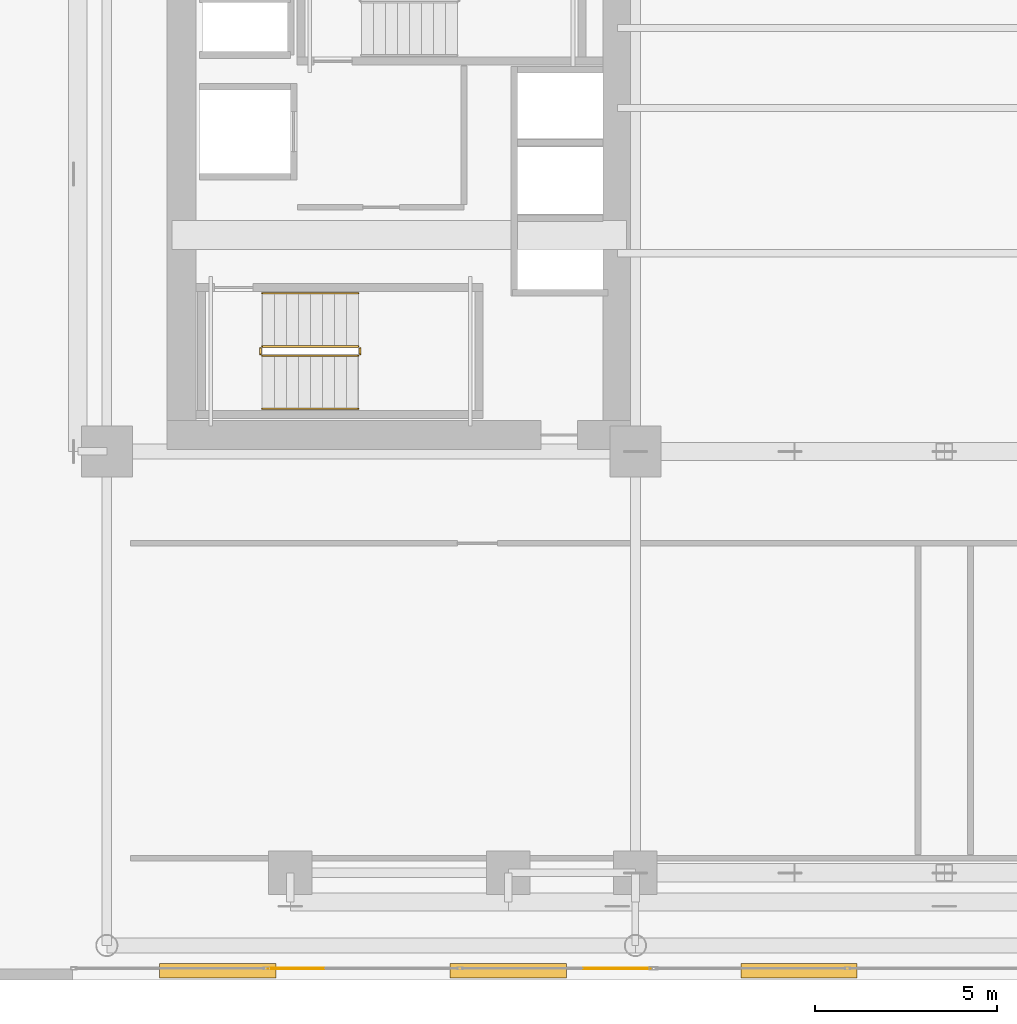
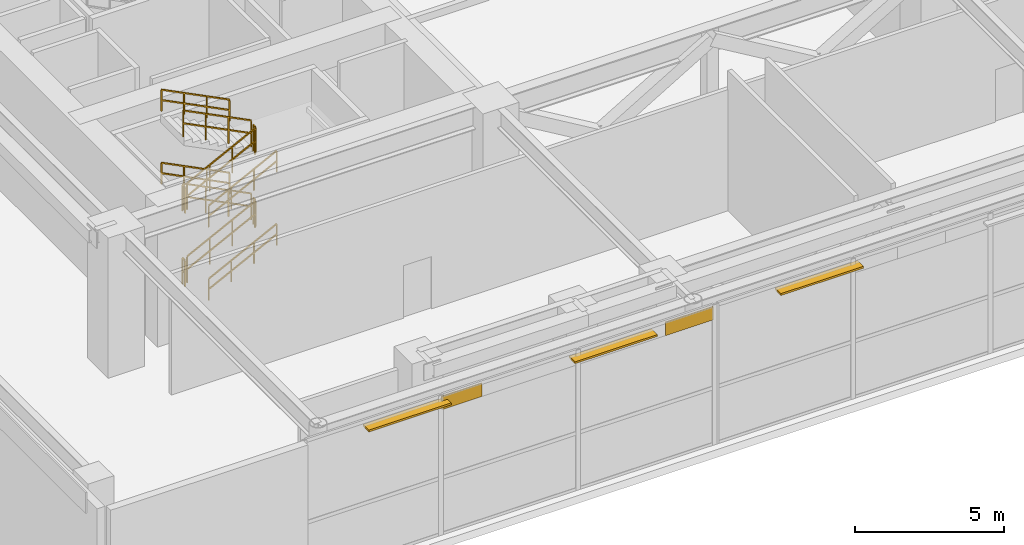
# One storey, part 25 of 29: 12 railings, 3 shading devices, 1 covering.
"""IFC4 building model written with IfcOpenShell, lengths in metres."""

from ifc_helpers import new_model, si_unit, direction, frame, origin, origin_2d, place, context, subcontext, project, spatial, rectangle, extrude, source, transform, mapped, material, layer, layer_set, type_object, element, save


model = new_model("IFC4")

# Units and contexts
model_context = context("Model", 3, precision=1e-05, world=origin(), true_north=direction((0.0, 1.0)))
body_context = subcontext(model_context, "Body", "Model", "MODEL_VIEW")
ifc_project = project(units=[si_unit("LENGTHUNIT", "METRE"), si_unit("AREAUNIT", "SQUARE_METRE"), si_unit("VOLUMEUNIT", "CUBIC_METRE"), si_unit("PLANEANGLEUNIT", "RADIAN"), si_unit("MASSUNIT", "GRAM", prefix="KILO")], contexts=[model_context])

# Site, building, storey
site_placement = place(None, origin())
site = spatial("IfcSite", under=ifc_project, at=site_placement, CompositionType="ELEMENT")
building_placement = place(site_placement, origin())
building = spatial("IfcBuilding", under=site, at=building_placement, Name="Ocotamira Hotel", CompositionType="ELEMENT")
storey_placement = place(building_placement, frame((0.0, 0.0, 28.800048828125)))
storey = spatial("IfcBuildingStorey", under=building, at=storey_placement, Name="L06", CompositionType="ELEMENT", Elevation=28.800048828125)

# Covering
ifc_material_1 = material(Name="Insulated pale-metal aluminium spandrel panel", Category="aluminium")
ifc_layer = layer(ifc_material_1, 0.044921875)
ifc_layer_set = layer_set([ifc_layer], Name="Insulated pale-metal aluminium spandrel panel")
covering_type = type_object("IfcCoveringType", Name="COV-INFILL-45", PredefinedType="CLADDING", material=ifc_layer_set)
covering_placement = place(storey_placement, origin())
element("IfcCovering", 1, at=covering_placement, inside=storey, type_object=covering_type, Name="L06 Curtain Wall Infill CW-5 CW-L06-S1", PredefinedType="CLADDING", context=body_context, shape_type="SweptSolid", body=[
    extrude(rectangle(XDim=1.564697265625, YDim=0.044921875, at=origin_2d()), frame((14.15625, 0.320068359375, 5.133544921875), z_axis=(0.0, 0.0, 1.0), x_axis=(1.0, 0.0, 0.0)), (0.0, 0.0, 1.0), 0.541015625),
    extrude(rectangle(XDim=1.858154296875, YDim=0.044921875, at=origin_2d()), frame((22.990478515625, 0.320068359375, 5.133544921875), z_axis=(0.0, 0.0, 1.0), x_axis=(1.0, 0.0, 0.0)), (0.0, 0.0, 1.0), 0.541015625),
])

# Railings
ifc_material_2 = material(Name="Brushed stainless steel handrail", Category="steel")
railing_type_1 = type_object("IfcRailingType", Name="RL-HAND-900", PredefinedType="HANDRAIL", material=ifc_material_2)
railing_1_placement = place(storey_placement, frame((13.22998046875, 15.719970703125, 0.333251953125)))
element("IfcRailing", 2, at=railing_1_placement, inside=storey, type_object=railing_type_1, Name="L06 ST-1 stair handrail 1", PredefinedType="HANDRAIL", context=body_context, shape_type="SweptSolid", body=[
    extrude(rectangle(XDim=0.048095703125, YDim=0.048095703125, at=origin_2d()), frame((0.0, 0.0, 0.8759765625), z_axis=(0.892637119617, 0.0, 0.450775967286), x_axis=(0.0, 1.0, 0.0)), (0.0, 0.0, 1.0), 2.957763671875),
    extrude(rectangle(XDim=0.048095703125, YDim=0.048095703125, at=origin_2d()), frame((0.0, 0.0, 0.449951171875), z_axis=(0.892637119617, 0.0, 0.450775967286), x_axis=(0.0, 1.0, 0.0)), (0.0, 0.0, 1.0), 2.957763671875),
    extrude(rectangle(XDim=0.0419921875, YDim=0.0419921875, at=origin_2d()), origin(), (0.0, 0.0, 1.0), 0.851806640625),
    extrude(rectangle(XDim=0.0419921875, YDim=0.0419921875, at=origin_2d()), frame((0.880126953125, 0.0, 0.4443359375)), (0.0, 0.0, 1.0), 0.851806640625),
    extrude(rectangle(XDim=0.0419921875, YDim=0.0419921875, at=origin_2d()), frame((1.760009765625, 0.0, 0.888916015625)), (0.0, 0.0, 1.0), 0.851806640625),
    extrude(rectangle(XDim=0.0419921875, YDim=0.0419921875, at=origin_2d()), frame((2.64013671875, 0.0, 1.333251953125)), (0.0, 0.0, 1.0), 0.851806640625),
])
railing_2_placement = place(storey_placement, frame((15.8701171875, 18.89990234375, 1.833251953125)))
element("IfcRailing", 3, at=railing_2_placement, inside=storey, type_object=railing_type_1, Name="L06 ST-1 stair handrail 2", PredefinedType="HANDRAIL", context=body_context, shape_type="SweptSolid", body=[
    extrude(rectangle(XDim=0.048095703125, YDim=0.048095703125, at=origin_2d()), frame((0.0, 0.0, 0.8759765625), z_axis=(-0.892637119617, 0.0, 0.450775967286), x_axis=(0.0, -1.0, 0.0)), (0.0, 0.0, 1.0), 2.957763671875),
    extrude(rectangle(XDim=0.048095703125, YDim=0.048095703125, at=origin_2d()), frame((0.0, 0.0, 0.449951171875), z_axis=(-0.892637119617, 0.0, 0.450775967286), x_axis=(0.0, -1.0, 0.0)), (0.0, 0.0, 1.0), 2.957763671875),
    extrude(rectangle(XDim=0.0419921875, YDim=0.0419921875, at=origin_2d()), origin(), (0.0, 0.0, 1.0), 0.851806640625),
    extrude(rectangle(XDim=0.0419921875, YDim=0.0419921875, at=origin_2d()), frame((-0.880126953125, 0.0, 0.4443359375)), (0.0, 0.0, 1.0), 0.851806640625),
    extrude(rectangle(XDim=0.0419921875, YDim=0.0419921875, at=origin_2d()), frame((-1.760009765625, 0.0, 0.888916015625)), (0.0, 0.0, 1.0), 0.851806640625),
    extrude(rectangle(XDim=0.0419921875, YDim=0.0419921875, at=origin_2d()), frame((-2.64013671875, 0.0, 1.333251953125)), (0.0, 0.0, 1.0), 0.851806640625),
])
railing_3_placement = place(storey_placement, frame((13.22998046875, 15.719970703125, 3.333251953125)))
element("IfcRailing", 4, at=railing_3_placement, inside=storey, type_object=railing_type_1, Name="L06 ST-1 stair handrail 3", PredefinedType="HANDRAIL", context=body_context, shape_type="SweptSolid", body=[
    extrude(rectangle(XDim=0.048095703125, YDim=0.048095703125, at=origin_2d()), frame((0.0, 0.0, 0.8759765625), z_axis=(0.892637119617, 0.0, 0.450775967286), x_axis=(0.0, 1.0, 0.0)), (0.0, 0.0, 1.0), 2.957763671875),
    extrude(rectangle(XDim=0.048095703125, YDim=0.048095703125, at=origin_2d()), frame((0.0, 0.0, 0.449951171875), z_axis=(0.892637119617, 0.0, 0.450775967286), x_axis=(0.0, 1.0, 0.0)), (0.0, 0.0, 1.0), 2.957763671875),
    extrude(rectangle(XDim=0.0419921875, YDim=0.0419921875, at=origin_2d()), origin(), (0.0, 0.0, 1.0), 0.851806640625),
    extrude(rectangle(XDim=0.0419921875, YDim=0.0419921875, at=origin_2d()), frame((0.880126953125, 0.0, 0.4443359375)), (0.0, 0.0, 1.0), 0.851806640625),
    extrude(rectangle(XDim=0.0419921875, YDim=0.0419921875, at=origin_2d()), frame((1.760009765625, 0.0, 0.888916015625)), (0.0, 0.0, 1.0), 0.851806640625),
    extrude(rectangle(XDim=0.0419921875, YDim=0.0419921875, at=origin_2d()), frame((2.64013671875, 0.0, 1.333251953125)), (0.0, 0.0, 1.0), 0.851806640625),
])
railing_4_placement = place(storey_placement, frame((15.8701171875, 18.89990234375, 4.833251953125)))
element("IfcRailing", 5, at=railing_4_placement, inside=storey, type_object=railing_type_1, Name="L06 ST-1 stair handrail 4", PredefinedType="HANDRAIL", context=body_context, shape_type="SweptSolid", body=[
    extrude(rectangle(XDim=0.048095703125, YDim=0.048095703125, at=origin_2d()), frame((0.0, 0.0, 0.8759765625), z_axis=(-0.892637119617, 0.0, 0.450775967286), x_axis=(0.0, -1.0, 0.0)), (0.0, 0.0, 1.0), 2.957763671875),
    extrude(rectangle(XDim=0.048095703125, YDim=0.048095703125, at=origin_2d()), frame((0.0, 0.0, 0.449951171875), z_axis=(-0.892637119617, 0.0, 0.450775967286), x_axis=(0.0, -1.0, 0.0)), (0.0, 0.0, 1.0), 2.957763671875),
    extrude(rectangle(XDim=0.0419921875, YDim=0.0419921875, at=origin_2d()), origin(), (0.0, 0.0, 1.0), 0.851806640625),
    extrude(rectangle(XDim=0.0419921875, YDim=0.0419921875, at=origin_2d()), frame((-0.880126953125, 0.0, 0.4443359375)), (0.0, 0.0, 1.0), 0.851806640625),
    extrude(rectangle(XDim=0.0419921875, YDim=0.0419921875, at=origin_2d()), frame((-1.760009765625, 0.0, 0.888916015625)), (0.0, 0.0, 1.0), 0.851806640625),
    extrude(rectangle(XDim=0.0419921875, YDim=0.0419921875, at=origin_2d()), frame((-2.64013671875, 0.0, 1.333251953125)), (0.0, 0.0, 1.0), 0.851806640625),
])
ifc_material_3 = material(Name="Painted steel stair guardrail", Category="steel")
railing_type_2 = type_object("IfcRailingType", Name="RL-STAIR-1100", PredefinedType="GUARDRAIL", material=ifc_material_3)
railing_5_placement = place(storey_placement, frame((13.22998046875, 17.179931640625, 0.16650390625)))
element("IfcRailing", 6, at=railing_5_placement, inside=storey, type_object=railing_type_2, Name="L06 ST-1 stair guard 1", PredefinedType="GUARDRAIL", context=body_context, shape_type="SweptSolid", body=[
    extrude(rectangle(XDim=0.048095703125, YDim=0.048095703125, at=origin_2d()), frame((0.0, 0.0, 1.076171875), z_axis=(0.892603904193, 0.0, 0.450841735223), x_axis=(0.0, 1.0, 0.0)), (0.0, 0.0, 1.0), 2.957763671875),
    extrude(rectangle(XDim=0.048095703125, YDim=0.048095703125, at=origin_2d()), frame((0.0, 0.0, 0.550048828125), z_axis=(0.892603904193, 0.0, 0.450841735223), x_axis=(0.0, 1.0, 0.0)), (0.0, 0.0, 1.0), 2.957763671875),
    extrude(rectangle(XDim=0.0419921875, YDim=0.0419921875, at=origin_2d()), origin(), (0.0, 0.0, 1.0), 1.052001953125),
    extrude(rectangle(XDim=0.0419921875, YDim=0.0419921875, at=origin_2d()), frame((0.880126953125, 0.0, 0.444580078125)), (0.0, 0.0, 1.0), 1.052001953125),
    extrude(rectangle(XDim=0.0419921875, YDim=0.0419921875, at=origin_2d()), frame((1.760009765625, 0.0, 0.888916015625)), (0.0, 0.0, 1.0), 1.052001953125),
    extrude(rectangle(XDim=0.0419921875, YDim=0.0419921875, at=origin_2d()), frame((2.64013671875, 0.0, 1.33349609375)), (0.0, 0.0, 1.0), 1.052001953125),
])
railing_6_placement = place(storey_placement, frame((15.919921875, 17.22998046875, 1.5)))
element("IfcRailing", 7, at=railing_6_placement, inside=storey, type_object=railing_type_2, Name="L06 ST-1 stair guard 2", PredefinedType="GUARDRAIL", context=body_context, shape_type="SweptSolid", body=[
    extrude(rectangle(XDim=0.048095703125, YDim=0.048095703125, at=origin_2d()), frame((0.0, 0.0, 1.076171875), z_axis=(0.0, 1.0, 0.0), x_axis=(-1.0, 0.0, 0.0)), (0.0, 0.0, 1.0), 0.159912109375),
    extrude(rectangle(XDim=0.048095703125, YDim=0.048095703125, at=origin_2d()), frame((0.0, 0.0, 0.550048828125), z_axis=(0.0, 1.0, 0.0), x_axis=(-1.0, 0.0, 0.0)), (0.0, 0.0, 1.0), 0.159912109375),
    extrude(rectangle(XDim=0.0419921875, YDim=0.0419921875, at=origin_2d()), origin(), (0.0, 0.0, 1.0), 1.052001953125),
    extrude(rectangle(XDim=0.0419921875, YDim=0.0419921875, at=origin_2d()), frame((0.0, 0.159912109375, 0.0)), (0.0, 0.0, 1.0), 1.052001953125),
])
railing_7_placement = place(storey_placement, frame((15.8701171875, 17.43994140625, 1.66650390625)))
element("IfcRailing", 8, at=railing_7_placement, inside=storey, type_object=railing_type_2, Name="L06 ST-1 stair guard 3", PredefinedType="GUARDRAIL", context=body_context, shape_type="SweptSolid", body=[
    extrude(rectangle(XDim=0.048095703125, YDim=0.048095703125, at=origin_2d()), frame((0.0, 0.0, 1.076171875), z_axis=(-0.892603904193, 0.0, 0.450841735223), x_axis=(0.0, -1.0, 0.0)), (0.0, 0.0, 1.0), 2.957763671875),
    extrude(rectangle(XDim=0.048095703125, YDim=0.048095703125, at=origin_2d()), frame((0.0, 0.0, 0.550048828125), z_axis=(-0.892603904193, 0.0, 0.450841735223), x_axis=(0.0, -1.0, 0.0)), (0.0, 0.0, 1.0), 2.957763671875),
    extrude(rectangle(XDim=0.0419921875, YDim=0.0419921875, at=origin_2d()), origin(), (0.0, 0.0, 1.0), 1.052001953125),
    extrude(rectangle(XDim=0.0419921875, YDim=0.0419921875, at=origin_2d()), frame((-0.880126953125, 0.0, 0.444580078125)), (0.0, 0.0, 1.0), 1.052001953125),
    extrude(rectangle(XDim=0.0419921875, YDim=0.0419921875, at=origin_2d()), frame((-1.760009765625, 0.0, 0.888916015625)), (0.0, 0.0, 1.0), 1.052001953125),
    extrude(rectangle(XDim=0.0419921875, YDim=0.0419921875, at=origin_2d()), frame((-2.64013671875, 0.0, 1.33349609375)), (0.0, 0.0, 1.0), 1.052001953125),
])
railing_8_placement = place(storey_placement, frame((13.179931640625, 17.22998046875, 3.0)))
element("IfcRailing", 9, at=railing_8_placement, inside=storey, type_object=railing_type_2, Name="L06 ST-1 stair guard 4", PredefinedType="GUARDRAIL", context=body_context, shape_type="SweptSolid", body=[
    extrude(rectangle(XDim=0.048095703125, YDim=0.048095703125, at=origin_2d()), frame((0.0, 0.0, 1.076171875), z_axis=(0.0, 1.0, 0.0), x_axis=(-1.0, 0.0, 0.0)), (0.0, 0.0, 1.0), 0.159912109375),
    extrude(rectangle(XDim=0.048095703125, YDim=0.048095703125, at=origin_2d()), frame((0.0, 0.0, 0.550048828125), z_axis=(0.0, 1.0, 0.0), x_axis=(-1.0, 0.0, 0.0)), (0.0, 0.0, 1.0), 0.159912109375),
    extrude(rectangle(XDim=0.0419921875, YDim=0.0419921875, at=origin_2d()), origin(), (0.0, 0.0, 1.0), 1.052001953125),
    extrude(rectangle(XDim=0.0419921875, YDim=0.0419921875, at=origin_2d()), frame((0.0, 0.159912109375, 0.0)), (0.0, 0.0, 1.0), 1.052001953125),
])
railing_9_placement = place(storey_placement, frame((13.22998046875, 17.179931640625, 3.16650390625)))
element("IfcRailing", 10, at=railing_9_placement, inside=storey, type_object=railing_type_2, Name="L06 ST-1 stair guard 5", PredefinedType="GUARDRAIL", context=body_context, shape_type="SweptSolid", body=[
    extrude(rectangle(XDim=0.048095703125, YDim=0.048095703125, at=origin_2d()), frame((0.0, 0.0, 1.076171875), z_axis=(0.892603904193, 0.0, 0.450841735223), x_axis=(0.0, 1.0, 0.0)), (0.0, 0.0, 1.0), 2.957763671875),
    extrude(rectangle(XDim=0.048095703125, YDim=0.048095703125, at=origin_2d()), frame((0.0, 0.0, 0.550048828125), z_axis=(0.892603904193, 0.0, 0.450841735223), x_axis=(0.0, 1.0, 0.0)), (0.0, 0.0, 1.0), 2.957763671875),
    extrude(rectangle(XDim=0.0419921875, YDim=0.0419921875, at=origin_2d()), origin(), (0.0, 0.0, 1.0), 1.052001953125),
    extrude(rectangle(XDim=0.0419921875, YDim=0.0419921875, at=origin_2d()), frame((0.880126953125, 0.0, 0.444580078125)), (0.0, 0.0, 1.0), 1.052001953125),
    extrude(rectangle(XDim=0.0419921875, YDim=0.0419921875, at=origin_2d()), frame((1.760009765625, 0.0, 0.888916015625)), (0.0, 0.0, 1.0), 1.052001953125),
    extrude(rectangle(XDim=0.0419921875, YDim=0.0419921875, at=origin_2d()), frame((2.64013671875, 0.0, 1.33349609375)), (0.0, 0.0, 1.0), 1.052001953125),
])
railing_10_placement = place(storey_placement, frame((15.919921875, 17.22998046875, 4.5)))
element("IfcRailing", 11, at=railing_10_placement, inside=storey, type_object=railing_type_2, Name="L06 ST-1 stair guard 6", PredefinedType="GUARDRAIL", context=body_context, shape_type="SweptSolid", body=[
    extrude(rectangle(XDim=0.048095703125, YDim=0.048095703125, at=origin_2d()), frame((0.0, 0.0, 1.076171875), z_axis=(0.0, 1.0, 0.0), x_axis=(-1.0, 0.0, 0.0)), (0.0, 0.0, 1.0), 0.159912109375),
    extrude(rectangle(XDim=0.048095703125, YDim=0.048095703125, at=origin_2d()), frame((0.0, 0.0, 0.550048828125), z_axis=(0.0, 1.0, 0.0), x_axis=(-1.0, 0.0, 0.0)), (0.0, 0.0, 1.0), 0.159912109375),
    extrude(rectangle(XDim=0.0419921875, YDim=0.0419921875, at=origin_2d()), origin(), (0.0, 0.0, 1.0), 1.052001953125),
    extrude(rectangle(XDim=0.0419921875, YDim=0.0419921875, at=origin_2d()), frame((0.0, 0.159912109375, 0.0)), (0.0, 0.0, 1.0), 1.052001953125),
])
railing_11_placement = place(storey_placement, frame((15.8701171875, 17.43994140625, 4.66650390625)))
element("IfcRailing", 12, at=railing_11_placement, inside=storey, type_object=railing_type_2, Name="L06 ST-1 stair guard 7", PredefinedType="GUARDRAIL", context=body_context, shape_type="SweptSolid", body=[
    extrude(rectangle(XDim=0.048095703125, YDim=0.048095703125, at=origin_2d()), frame((0.0, 0.0, 1.076171875), z_axis=(-0.892603904193, 0.0, 0.450841735223), x_axis=(0.0, -1.0, 0.0)), (0.0, 0.0, 1.0), 2.957763671875),
    extrude(rectangle(XDim=0.048095703125, YDim=0.048095703125, at=origin_2d()), frame((0.0, 0.0, 0.550048828125), z_axis=(-0.892603904193, 0.0, 0.450841735223), x_axis=(0.0, -1.0, 0.0)), (0.0, 0.0, 1.0), 2.957763671875),
    extrude(rectangle(XDim=0.0419921875, YDim=0.0419921875, at=origin_2d()), origin(), (0.0, 0.0, 1.0), 1.052001953125),
    extrude(rectangle(XDim=0.0419921875, YDim=0.0419921875, at=origin_2d()), frame((-0.880126953125, 0.0, 0.444580078125)), (0.0, 0.0, 1.0), 1.052001953125),
    extrude(rectangle(XDim=0.0419921875, YDim=0.0419921875, at=origin_2d()), frame((-1.760009765625, 0.0, 0.888916015625)), (0.0, 0.0, 1.0), 1.052001953125),
    extrude(rectangle(XDim=0.0419921875, YDim=0.0419921875, at=origin_2d()), frame((-2.64013671875, 0.0, 1.33349609375)), (0.0, 0.0, 1.0), 1.052001953125),
])
railing_12_placement = place(storey_placement, frame((13.179931640625, 17.22998046875, 0.0)))
element("IfcRailing", 13, at=railing_12_placement, inside=storey, type_object=railing_type_2, Name="L06 ST-1 stair guard 8", PredefinedType="GUARDRAIL", context=body_context, shape_type="SweptSolid", body=[
    extrude(rectangle(XDim=0.048095703125, YDim=0.048095703125, at=origin_2d()), frame((0.0, 0.0, 1.076171875), z_axis=(0.0, 1.0, 0.0), x_axis=(-1.0, 0.0, 0.0)), (0.0, 0.0, 1.0), 0.159912109375),
    extrude(rectangle(XDim=0.048095703125, YDim=0.048095703125, at=origin_2d()), frame((0.0, 0.0, 0.550048828125), z_axis=(0.0, 1.0, 0.0), x_axis=(-1.0, 0.0, 0.0)), (0.0, 0.0, 1.0), 0.159912109375),
    extrude(rectangle(XDim=0.0419921875, YDim=0.0419921875, at=origin_2d()), origin(), (0.0, 0.0, 1.0), 1.052001953125),
    extrude(rectangle(XDim=0.0419921875, YDim=0.0419921875, at=origin_2d()), frame((0.0, 0.159912109375, 0.0)), (0.0, 0.0, 1.0), 1.052001953125),
])

# Shading devices
ifc_material_4 = material(Name="Pale-metal anodised aluminium solar louvre", Category="aluminium")
shading_device_type = type_object("IfcShadingDeviceType", Name="SHD-LOUV-400", PredefinedType="JALOUSIE", material=ifc_material_4)
shared_shape = source(origin(), body_context, "Body", "SweptSolid", [
    extrude(rectangle(XDim=3.199951171875, YDim=0.39990234375, at=origin_2d()), origin(), (0.0, 0.0, 1.0), 0.080078125),
])
for number, where, z_axis, x_axis, name in (
    (14, (12.0, 0.25, 5.409912109375), (0.0, 0.0, 1.0), (1.0, 0.0, 0.0), "L06 Podium Solar Louvre S1"),
    (15, (20.0, 0.25, 5.409912109375), (0.0, 0.0, 1.0), (1.0, 0.0, 0.0), "L06 Podium Solar Louvre S2"),
    (16, (28.0, 0.25, 5.409912109375), (0.0, 0.0, 1.0), (1.0, 0.0, 0.0), "L06 Podium Solar Louvre S3"),
):
    element("IfcShadingDevice", number, at=place(storey_placement, frame(where, z_axis=z_axis, x_axis=x_axis)), inside=storey, type_object=shading_device_type, Name=name, PredefinedType="JALOUSIE", context=body_context, shape_type="MappedRepresentation", body=[
        mapped(shared_shape, transform((0.0, 0.0, 0.0), scale=1.0)),
    ])

save(model, "model.ifc")
